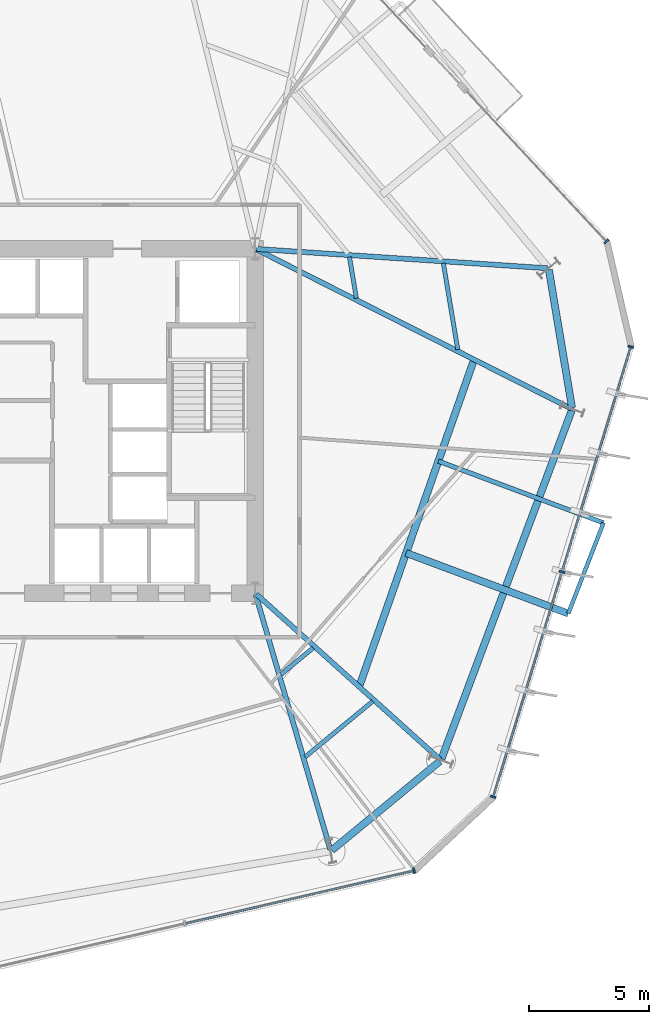
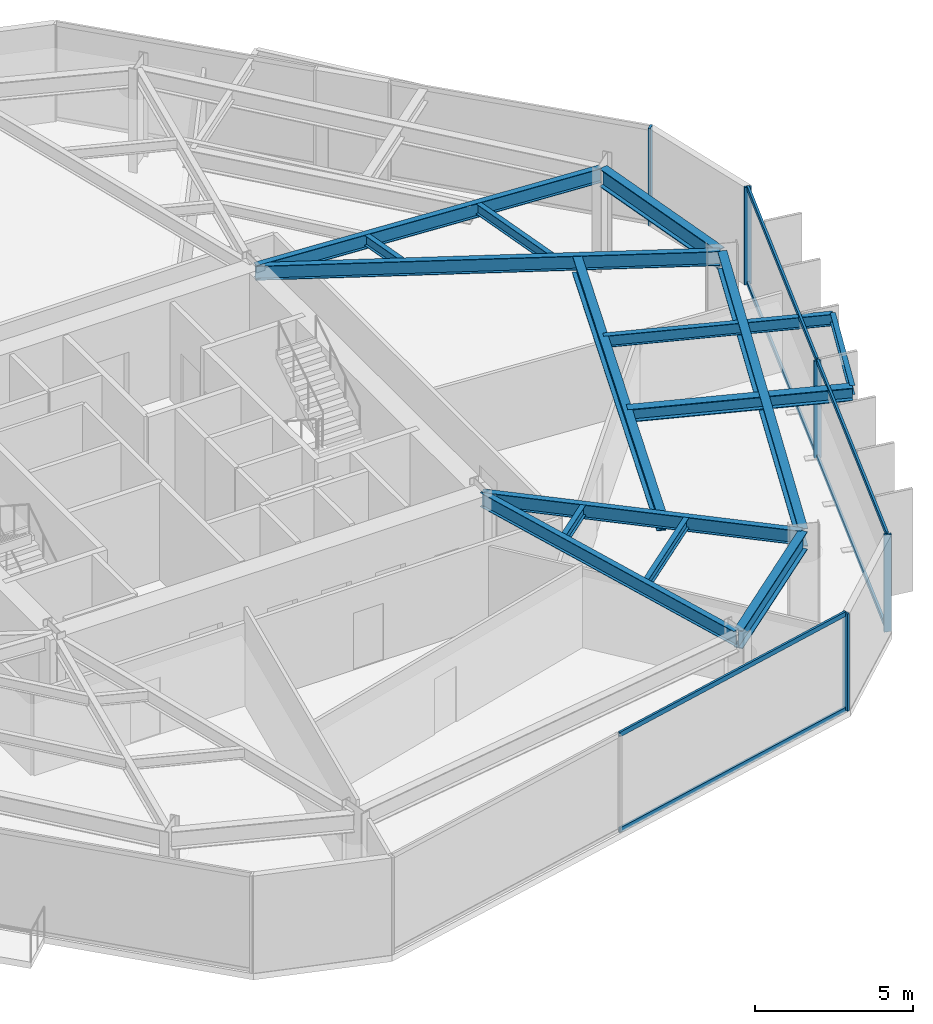
# One storey, part 3 of 10: 15 beams, 11 members, 3 elements without a shape of their own.
"""IFC4 building model written with IfcOpenShell, lengths in metres."""

from ifc_helpers import new_model, si_unit, direction, frame, origin, origin_2d, place, context, subcontext, project, spatial, rectangle, i_section, extrude, material, layer, layer_set, material_profile, profile_set, type_object, element, aggregate, save


model = new_model("IFC4")

# Units and contexts
model_context = context("Model", 3, precision=1e-05, world=origin(), true_north=direction((0.0, 1.0)))
body_context = subcontext(model_context, "Body", "Model", "MODEL_VIEW")
ifc_project = project(units=[si_unit("LENGTHUNIT", "METRE"), si_unit("AREAUNIT", "SQUARE_METRE"), si_unit("VOLUMEUNIT", "CUBIC_METRE"), si_unit("PLANEANGLEUNIT", "RADIAN"), si_unit("MASSUNIT", "GRAM", prefix="KILO")], contexts=[model_context])

# Site, building, storey
site_placement = place(None, origin())
site = spatial("IfcSite", under=ifc_project, at=site_placement, CompositionType="ELEMENT")
building_placement = place(site_placement, origin())
building = spatial("IfcBuilding", under=site, at=building_placement, Name="Kranzbogen Civic Tower", CompositionType="ELEMENT")
storey_placement = place(building_placement, frame((0.0, 0.0, 72.0)))
storey = spatial("IfcBuildingStorey", under=building, at=storey_placement, Name="L17", CompositionType="ELEMENT", Elevation=72.0)

# Beam
ifc_material_1 = material(Name="Steel S355", Category="steel")
ifc_material_profile_1 = material_profile(ifc_material_1, i_section(OverallWidth=0.18994140625, OverallDepth=0.449951171875, WebThickness=0.009521484375, FlangeThickness=0.0146484375, at=origin_2d()), Name="IPE 450")
ifc_profile_set_1 = profile_set([ifc_material_profile_1], Name="Steel S355")
beam_type_1 = type_object("IfcBeamType", Name="Braced Terrace Edge Beam IPE 450", PredefinedType="BEAM", material=ifc_profile_set_1)
beam_1_placement = place(storey_placement, frame((40.4599609375, 23.322021484375, 3.52490234375), z_axis=(0.93667301399, -0.35020517538, 0.0), x_axis=(0.35020517538, 0.93667301399, 0.0)))
element("IfcBeam", 1, at=beam_1_placement, inside=storey, type_object=beam_type_1, Name="L18 back-spanned terrace beam L18-TB1-2", PredefinedType="BEAM", context=body_context, shape_type="SweptSolid", body=[
    extrude(i_section(OverallWidth=0.18994140625, OverallDepth=0.449951171875, WebThickness=0.009521484375, FlangeThickness=0.0146484375, at=origin_2d()), origin(), (0.0, 0.0, 1.0), 7.372802734375),
])

# Curtain wall, member
ifc_material_2 = material(Name="Pale Anodised Aluminium", Category="aluminium")
ifc_layer = layer(ifc_material_2, 0.219970703125, Name="Pale Anodised Aluminium")
ifc_layer_set = layer_set([ifc_layer], Name="Pale Anodised Aluminium")
curtain_wall_type = type_object("IfcCurtainWallType", Name="Zone 1 Stick Curtain Wall System CW-02", PredefinedType="USERDEFINED", material=ifc_layer_set)
curtain_wall_1_placement = place(storey_placement, origin())
curtain_wall_1 = element("IfcCurtainWall", 2, at=curtain_wall_1_placement, inside=storey, type_object=curtain_wall_type, Name="L17 curtain wall CW-L17-F1-S1", ObjectType="STICK CURTAIN WALL", PredefinedType="USERDEFINED")
ifc_material_profile_2 = material_profile(ifc_material_2, rectangle(XDim=0.080078125, YDim=0.239990234375, at=origin_2d()), Name="ALU-M 80x240")
ifc_profile_set_2 = profile_set([ifc_material_profile_2], Name="Pale Anodised Aluminium")
member_type_1 = type_object("IfcMemberType", Name="Curtain Wall Mullion ALU-M 80x240", PredefinedType="MULLION", material=ifc_profile_set_2)
member_1_placement = place(storey_placement, frame((47.489501953125, 32.514892578125, 0.0), z_axis=(0.0, 0.0, 1.0), x_axis=(-0.681997701527, 0.731354315713, 0.0)))
member_1 = element("IfcMember", 3, at=member_1_placement, type_object=member_type_1, Name="CW-02 mullion 1", PredefinedType="MULLION", context=body_context, shape_type="SweptSolid", body=[
    extrude(rectangle(XDim=0.080078125, YDim=0.239990234375, at=origin_2d()), origin(), (0.0, 0.0, 1.0), 3.760009765625),
])
aggregate(curtain_wall_1, [member_1])

curtain_wall_2_placement = place(storey_placement, origin())
curtain_wall_2 = element("IfcCurtainWall", 4, at=curtain_wall_2_placement, inside=storey, type_object=curtain_wall_type, Name="L17 curtain wall CW-L17-F5", ObjectType="STICK CURTAIN WALL", PredefinedType="USERDEFINED")
member_2_placement = place(storey_placement, frame((39.44287109375, 6.1943359375, 0.0), z_axis=(0.0, 0.0, 1.0), x_axis=(0.974363872797, 0.224977873109, 0.0)))
member_2 = element("IfcMember", 5, at=member_2_placement, type_object=member_type_1, Name="CW-02 mullion 3", PredefinedType="MULLION", context=body_context, shape_type="SweptSolid", body=[
    extrude(rectangle(XDim=0.080078125, YDim=0.239990234375, at=origin_2d()), origin(), (0.0, 0.0, 1.0), 3.760009765625),
])

# Curtain wall, members
curtain_wall_3_placement = place(storey_placement, origin())
curtain_wall_3 = element("IfcCurtainWall", 6, at=curtain_wall_3_placement, inside=storey, type_object=curtain_wall_type, Name="L17 curtain wall CW-L17-F6", ObjectType="STICK CURTAIN WALL", PredefinedType="USERDEFINED")
member_3_placement = place(storey_placement, frame((42.751708984375, 9.28076171875, 0.0), z_axis=(0.0, 0.0, 1.0), x_axis=(0.292380656499, 0.956302019085, 0.0)))
member_3 = element("IfcMember", 7, at=member_3_placement, type_object=member_type_1, Name="CW-02 mullion 1", PredefinedType="MULLION", context=body_context, shape_type="SweptSolid", body=[
    extrude(rectangle(XDim=0.080078125, YDim=0.239990234375, at=origin_2d()), origin(), (0.0, 0.0, 1.0), 3.760009765625),
])
member_4_placement = place(storey_placement, frame((45.62939453125, 18.693115234375, 0.0), z_axis=(0.0, 0.0, 1.0), x_axis=(0.292380656499, 0.956302019085, 0.0)))
member_4 = element("IfcMember", 8, at=member_4_placement, type_object=member_type_1, Name="CW-02 mullion 2", PredefinedType="MULLION", context=body_context, shape_type="SweptSolid", body=[
    extrude(rectangle(XDim=0.080078125, YDim=0.239990234375, at=origin_2d()), origin(), (0.0, 0.0, 1.0), 3.760009765625),
])
member_5_placement = place(storey_placement, frame((48.50732421875, 28.105224609375, 0.0), z_axis=(0.0, 0.0, 1.0), x_axis=(0.292380656499, 0.956302019085, 0.0)))
member_5 = element("IfcMember", 9, at=member_5_placement, type_object=member_type_1, Name="CW-02 mullion 3", PredefinedType="MULLION", context=body_context, shape_type="SweptSolid", body=[
    extrude(rectangle(XDim=0.080078125, YDim=0.239990234375, at=origin_2d()), origin(), (0.0, 0.0, 1.0), 3.760009765625),
])

# Member
ifc_material_profile_3 = material_profile(ifc_material_2, rectangle(XDim=0.080078125, YDim=0.179931640625, at=origin_2d()), Name="ALU-T 80x180")
ifc_profile_set_3 = profile_set([ifc_material_profile_3], Name="Pale Anodised Aluminium")
member_type_2 = type_object("IfcMemberType", Name="Curtain Wall Transom ALU-T 80x180", PredefinedType="USERDEFINED", material=ifc_profile_set_3)
member_6_placement = place(storey_placement, frame((29.88232421875, 3.98681640625, 0.030029296875), z_axis=(0.974365109305, 0.224972517809, 0.0), x_axis=(-0.224972517809, 0.974365109305, 0.0)))
member_6 = element("IfcMember", 10, at=member_6_placement, type_object=member_type_2, Name="CW-02 transom 2.1", ObjectType="TRANSOM", PredefinedType="USERDEFINED", context=body_context, shape_type="SweptSolid", body=[
    extrude(rectangle(XDim=0.080078125, YDim=0.179931640625, at=origin_2d()), origin(), (0.0, 0.0, 1.0), 9.781982421875),
])

member_7_placement = place(storey_placement, frame((29.88232421875, 3.98681640625, 3.72998046875), z_axis=(0.974365109305, 0.224972517809, 0.0), x_axis=(-0.224972517809, 0.974365109305, 0.0)))
member_7 = element("IfcMember", 11, at=member_7_placement, type_object=member_type_2, Name="CW-02 transom 2.2", ObjectType="TRANSOM", PredefinedType="USERDEFINED", context=body_context, shape_type="SweptSolid", body=[
    extrude(rectangle(XDim=0.080078125, YDim=0.179931640625, at=origin_2d()), origin(), (0.0, 0.0, 1.0), 9.781982421875),
])

aggregate(curtain_wall_2, [member_2, member_6, member_7])

member_8_placement = place(storey_placement, frame((42.760498046875, 9.309326171875, 0.030029296875), z_axis=(0.2923947963, 0.956297695854, 0.0), x_axis=(-0.956297695854, 0.2923947963, 0.0)))
member_8 = element("IfcMember", 12, at=member_8_placement, type_object=member_type_2, Name="CW-02 transom 1.1", ObjectType="TRANSOM", PredefinedType="USERDEFINED", context=body_context, shape_type="SweptSolid", body=[
    extrude(rectangle(XDim=0.080078125, YDim=0.179931640625, at=origin_2d()), origin(), (0.0, 0.0, 1.0), 9.782470703125),
])

member_9_placement = place(storey_placement, frame((42.760498046875, 9.309326171875, 3.72998046875), z_axis=(0.2923947963, 0.956297695854, 0.0), x_axis=(-0.956297695854, 0.2923947963, 0.0)))
member_9 = element("IfcMember", 13, at=member_9_placement, type_object=member_type_2, Name="CW-02 transom 1.2", ObjectType="TRANSOM", PredefinedType="USERDEFINED", context=body_context, shape_type="SweptSolid", body=[
    extrude(rectangle(XDim=0.080078125, YDim=0.179931640625, at=origin_2d()), origin(), (0.0, 0.0, 1.0), 9.782470703125),
])

member_10_placement = place(storey_placement, frame((45.63818359375, 18.7216796875, 0.030029296875), z_axis=(0.2923947963, 0.956297695854, 0.0), x_axis=(-0.956297695854, 0.2923947963, 0.0)))
member_10 = element("IfcMember", 14, at=member_10_placement, type_object=member_type_2, Name="CW-02 transom 2.1", ObjectType="TRANSOM", PredefinedType="USERDEFINED", context=body_context, shape_type="SweptSolid", body=[
    extrude(rectangle(XDim=0.080078125, YDim=0.179931640625, at=origin_2d()), origin(), (0.0, 0.0, 1.0), 9.782470703125),
])

member_11_placement = place(storey_placement, frame((45.63818359375, 18.7216796875, 3.72998046875), z_axis=(0.2923947963, 0.956297695854, 0.0), x_axis=(-0.956297695854, 0.2923947963, 0.0)))
member_11 = element("IfcMember", 15, at=member_11_placement, type_object=member_type_2, Name="CW-02 transom 2.2", ObjectType="TRANSOM", PredefinedType="USERDEFINED", context=body_context, shape_type="SweptSolid", body=[
    extrude(rectangle(XDim=0.080078125, YDim=0.179931640625, at=origin_2d()), origin(), (0.0, 0.0, 1.0), 9.782470703125),
])

aggregate(curtain_wall_3, [member_3, member_4, member_5, member_8, member_9, member_10, member_11])

# Beams
ifc_material_profile_4 = material_profile(ifc_material_1, i_section(OverallWidth=0.300048828125, OverallDepth=0.5, WebThickness=0.014404296875, FlangeThickness=0.028076171875, at=origin_2d()), Name="HEB 500")
ifc_profile_set_4 = profile_set([ifc_material_profile_4], Name="Steel S355")
beam_type_2 = type_object("IfcBeamType", Name="Perimeter Tube Spandrel Beam HEB 500", PredefinedType="SPANDREL", material=ifc_profile_set_4)
beam_2_placement = place(storey_placement, frame((39.112060546875, 19.48291015625, 3.5), z_axis=(0.936673864694, -0.350202900044, 0.0), x_axis=(0.350202900044, 0.936673864694, 0.0)))
element("IfcBeam", 16, at=beam_2_placement, inside=storey, type_object=beam_type_2, Name="L18 back-spanned terrace beam L18-TB1-1", PredefinedType="SPANDREL", context=body_context, shape_type="SweptSolid", body=[
    extrude(i_section(OverallWidth=0.300048828125, OverallDepth=0.5, WebThickness=0.014404296875, FlangeThickness=0.028076171875, at=origin_2d()), origin(), (0.0, 0.0, 1.0), 7.238525390625),
])
ifc_material_profile_5 = material_profile(ifc_material_1, i_section(OverallWidth=0.300048828125, OverallDepth=0.699951171875, WebThickness=0.01708984375, FlangeThickness=0.031982421875, at=origin_2d()), Name="HEB 700")
ifc_profile_set_5 = profile_set([ifc_material_profile_5], Name="Steel S355")
beam_type_3 = type_object("IfcBeamType", Name="Perimeter Tube Spandrel Beam HEB 700", PredefinedType="SPANDREL", material=ifc_profile_set_5)
beam_3_placement = place(storey_placement, frame((36.00390625, 7.050048828125, 3.409912109375), z_axis=(0.77168336865, 0.636006901337, 0.0), x_axis=(-0.636006901337, 0.77168336865, 0.0)))
element("IfcBeam", 17, at=beam_3_placement, inside=storey, type_object=beam_type_3, Name="L17 perimeter spandrel beam 05", PredefinedType="SPANDREL", context=body_context, shape_type="SweptSolid", body=[
    extrude(i_section(OverallWidth=0.300048828125, OverallDepth=0.699951171875, WebThickness=0.01708984375, FlangeThickness=0.031982421875, at=origin_2d()), origin(), (0.0, 0.0, 1.0), 5.853515625),
])
beam_4_placement = place(storey_placement, frame((40.587890625, 10.866943359375, 3.409912109375), z_axis=(0.350172267932, 0.936685316833, 0.0), x_axis=(-0.936685316833, 0.350172267932, 0.0)))
element("IfcBeam", 18, at=beam_4_placement, inside=storey, type_object=beam_type_3, Name="L17 perimeter spandrel beam 06", PredefinedType="SPANDREL", context=body_context, shape_type="SweptSolid", body=[
    extrude(i_section(OverallWidth=0.300048828125, OverallDepth=0.699951171875, WebThickness=0.01708984375, FlangeThickness=0.031982421875, at=origin_2d()), origin(), (0.0, 0.0, 1.0), 15.55810546875),
])
beam_5_placement = place(storey_placement, frame((46.047119140625, 25.554931640625, 3.409912109375), z_axis=(-0.164913116942, 0.986308097838, 0.0), x_axis=(-0.986308097838, -0.164913116942, 0.0)))
element("IfcBeam", 19, at=beam_5_placement, inside=storey, type_object=beam_type_3, Name="L17 perimeter spandrel beam 07", PredefinedType="SPANDREL", context=body_context, shape_type="SweptSolid", body=[
    extrude(i_section(OverallWidth=0.300048828125, OverallDepth=0.699951171875, WebThickness=0.01708984375, FlangeThickness=0.031982421875, at=origin_2d()), origin(), (0.0, 0.0, 1.0), 5.85205078125),
])
beam_6_placement = place(storey_placement, frame((37.14794921875, 13.887939453125, 3.39990234375), z_axis=(0.331242591506, 0.943545624531, 0.0), x_axis=(-0.943545624531, 0.331242591506, 0.0)))
element("IfcBeam", 20, at=beam_6_placement, inside=storey, type_object=beam_type_3, Name="L18 balcony back-span header girder L18-TB1", PredefinedType="SPANDREL", context=body_context, shape_type="SweptSolid", body=[
    extrude(i_section(OverallWidth=0.300048828125, OverallDepth=0.699951171875, WebThickness=0.01708984375, FlangeThickness=0.031982421875, at=origin_2d()), origin(), (0.0, 0.0, 1.0), 14.5029296875),
])
ifc_material_profile_6 = material_profile(ifc_material_1, i_section(OverallWidth=0.2099609375, OverallDepth=0.550048828125, WebThickness=0.010986328125, FlangeThickness=0.01708984375, at=origin_2d()), Name="IPE 550")
ifc_profile_set_6 = profile_set([ifc_material_profile_6], Name="Steel S355")
beam_type_4 = type_object("IfcBeamType", Name="Radial Tower Floor Girder IPE 550", PredefinedType="BEAM", material=ifc_profile_set_6)
beam_7_placement = place(storey_placement, frame((35.94091796875, 7.070068359375, 3.485107421875), z_axis=(-0.280944131918, 0.959724124288, 0.0), x_axis=(-0.959724124288, -0.280944131918, 0.0)))
element("IfcBeam", 21, at=beam_7_placement, inside=storey, type_object=beam_type_4, Name="L17 radial floor girder 05", PredefinedType="BEAM", context=body_context, shape_type="SweptSolid", body=[
    extrude(i_section(OverallWidth=0.2099609375, OverallDepth=0.550048828125, WebThickness=0.010986328125, FlangeThickness=0.01708984375, at=origin_2d()), origin(), (0.0, 0.0, 1.0), 11.11962890625),
])
beam_8_placement = place(storey_placement, frame((40.52197265625, 10.85107421875, 3.485107421875), z_axis=(-0.743311776894, 0.668945141496, 0.0), x_axis=(-0.668945141496, -0.743311776894, 0.0)))
element("IfcBeam", 22, at=beam_8_placement, inside=storey, type_object=beam_type_4, Name="L17 radial floor girder 06", PredefinedType="BEAM", context=body_context, shape_type="SweptSolid", body=[
    extrude(i_section(OverallWidth=0.2099609375, OverallDepth=0.550048828125, WebThickness=0.010986328125, FlangeThickness=0.01708984375, at=origin_2d()), origin(), (0.0, 0.0, 1.0), 10.328125),
])
beam_9_placement = place(storey_placement, frame((46.0029296875, 25.52294921875, 3.485107421875), z_axis=(-0.892363219254, 0.451317942168, 0.0), x_axis=(-0.451317942168, -0.892363219254, 0.0)))
element("IfcBeam", 23, at=beam_9_placement, inside=storey, type_object=beam_type_4, Name="L17 radial floor girder 07", PredefinedType="BEAM", context=body_context, shape_type="SweptSolid", body=[
    extrude(i_section(OverallWidth=0.2099609375, OverallDepth=0.550048828125, WebThickness=0.010986328125, FlangeThickness=0.01708984375, at=origin_2d()), origin(), (0.0, 0.0, 1.0), 14.73486328125),
])
beam_10_placement = place(storey_placement, frame((45.011962890625, 31.389892578125, 3.485107421875), z_axis=(-0.99780674843, 0.066194356156, 0.0), x_axis=(-0.066194356156, -0.99780674843, 0.0)))
element("IfcBeam", 24, at=beam_10_placement, inside=storey, type_object=beam_type_4, Name="L17 radial floor girder 08", PredefinedType="BEAM", context=body_context, shape_type="SweptSolid", body=[
    extrude(i_section(OverallWidth=0.2099609375, OverallDepth=0.550048828125, WebThickness=0.010986328125, FlangeThickness=0.01708984375, at=origin_2d()), origin(), (0.0, 0.0, 1.0), 12.178466796875),
])
ifc_material_profile_7 = material_profile(ifc_material_1, i_section(OverallWidth=0.169921875, OverallDepth=0.360107421875, WebThickness=0.008056640625, FlangeThickness=0.0126953125, at=origin_2d()), Name="IPE 360")
ifc_profile_set_7 = profile_set([ifc_material_profile_7], Name="Steel S355")
beam_type_5 = type_object("IfcBeamType", Name="Secondary Composite Floor Joist IPE 360", PredefinedType="JOIST", material=ifc_profile_set_7)
beam_11_placement = place(storey_placement, frame((45.89208984375, 16.947998046875, 3.570068359375), z_axis=(0.362278292586, 0.932069975228, 0.0), x_axis=(-0.932069975228, 0.362278292586, 0.0)))
element("IfcBeam", 25, at=beam_11_placement, inside=storey, type_object=beam_type_5, Name="L18 terrace outer edge trimmer L18-TB1", PredefinedType="JOIST", context=body_context, shape_type="SweptSolid", body=[
    extrude(i_section(OverallWidth=0.169921875, OverallDepth=0.360107421875, WebThickness=0.008056640625, FlangeThickness=0.0126953125, at=origin_2d()), origin(), (0.0, 0.0, 1.0), 4.068359375),
])
ifc_material_profile_8 = material_profile(ifc_material_1, i_section(OverallWidth=0.179931640625, OverallDepth=0.39990234375, WebThickness=0.008544921875, FlangeThickness=0.013427734375, at=origin_2d()), Name="IPE 400")
ifc_profile_set_8 = profile_set([ifc_material_profile_8], Name="Steel S355")
beam_type_6 = type_object("IfcBeamType", Name="Secondary Composite Floor Joist IPE 400", PredefinedType="JOIST", material=ifc_profile_set_8)
beam_12_placement = place(storey_placement, frame((34.883056640625, 10.947021484375, 3.56005859375), z_axis=(0.771712720426, 0.635971286406, 0.0), x_axis=(-0.635971286406, 0.771712720426, 0.0)))
element("IfcBeam", 26, at=beam_12_placement, inside=storey, type_object=beam_type_6, Name="L17 secondary floor joist 1.05", PredefinedType="JOIST", context=body_context, shape_type="SweptSolid", body=[
    extrude(i_section(OverallWidth=0.179931640625, OverallDepth=0.39990234375, WebThickness=0.008544921875, FlangeThickness=0.013427734375, at=origin_2d()), origin(), (0.0, 0.0, 1.0), 3.661865234375),
])
beam_13_placement = place(storey_placement, frame((33.8720703125, 14.39892578125, 3.56005859375), z_axis=(0.771773324836, 0.635897739477, 0.0), x_axis=(-0.635897739477, 0.771773324836, 0.0)))
element("IfcBeam", 27, at=beam_13_placement, inside=storey, type_object=beam_type_6, Name="L17 secondary floor joist 2.05", PredefinedType="JOIST", context=body_context, shape_type="SweptSolid", body=[
    extrude(i_section(OverallWidth=0.179931640625, OverallDepth=0.39990234375, WebThickness=0.008544921875, FlangeThickness=0.013427734375, at=origin_2d()), origin(), (0.0, 0.0, 1.0), 1.751953125),
])
beam_14_placement = place(storey_placement, frame((41.27099609375, 27.988037109375, 3.56005859375), z_axis=(-0.164928678379, 0.986305495802, 0.0), x_axis=(-0.986305495802, -0.164928678379, 0.0)))
element("IfcBeam", 28, at=beam_14_placement, inside=storey, type_object=beam_type_6, Name="L17 secondary floor joist 1.07", PredefinedType="JOIST", context=body_context, shape_type="SweptSolid", body=[
    extrude(i_section(OverallWidth=0.179931640625, OverallDepth=0.39990234375, WebThickness=0.008544921875, FlangeThickness=0.013427734375, at=origin_2d()), origin(), (0.0, 0.0, 1.0), 3.662109375),
])
beam_15_placement = place(storey_placement, frame((37.029052734375, 30.134033203125, 3.56005859375), z_axis=(-0.165077224104, 0.986280644686, 0.0), x_axis=(-0.986280644686, -0.165077224104, 0.0)))
element("IfcBeam", 29, at=beam_15_placement, inside=storey, type_object=beam_type_6, Name="L17 secondary floor joist 2.07", PredefinedType="JOIST", context=body_context, shape_type="SweptSolid", body=[
    extrude(i_section(OverallWidth=0.179931640625, OverallDepth=0.39990234375, WebThickness=0.008544921875, FlangeThickness=0.013427734375, at=origin_2d()), origin(), (0.0, 0.0, 1.0), 1.7509765625),
])

save(model, "model.ifc")
